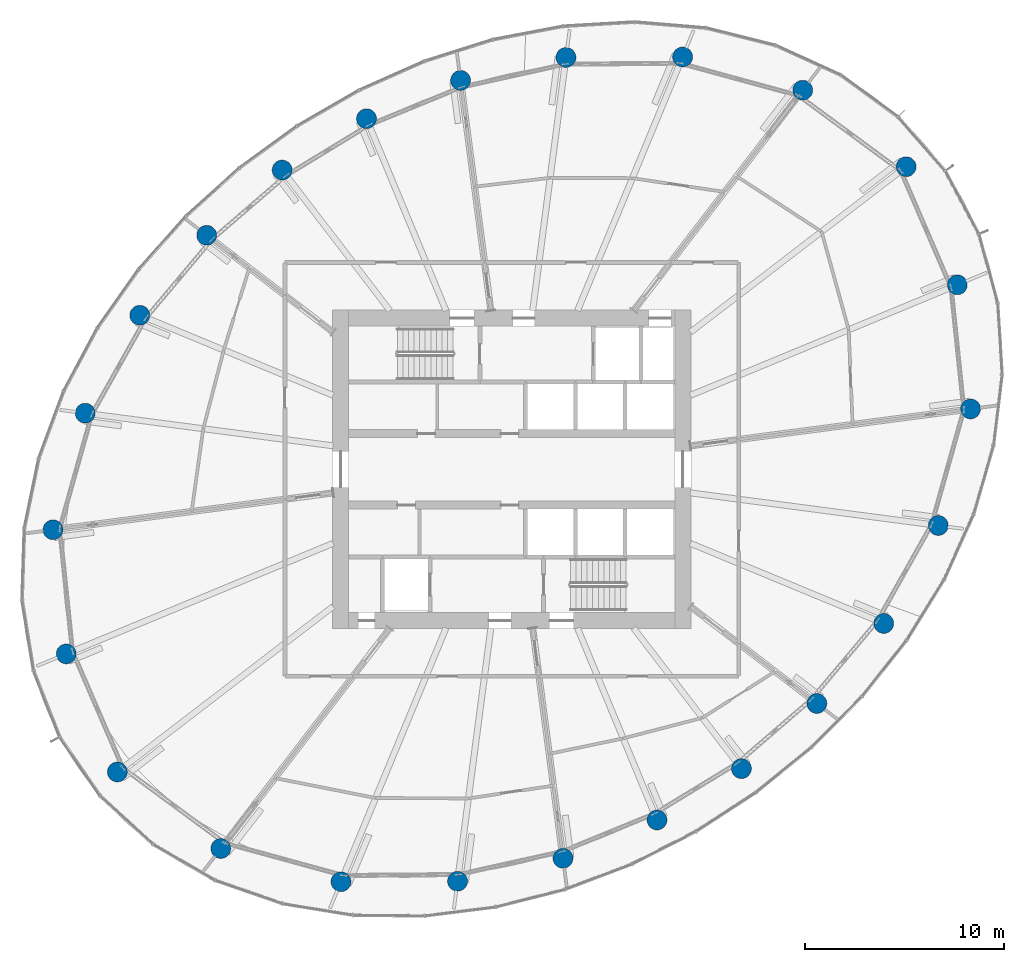
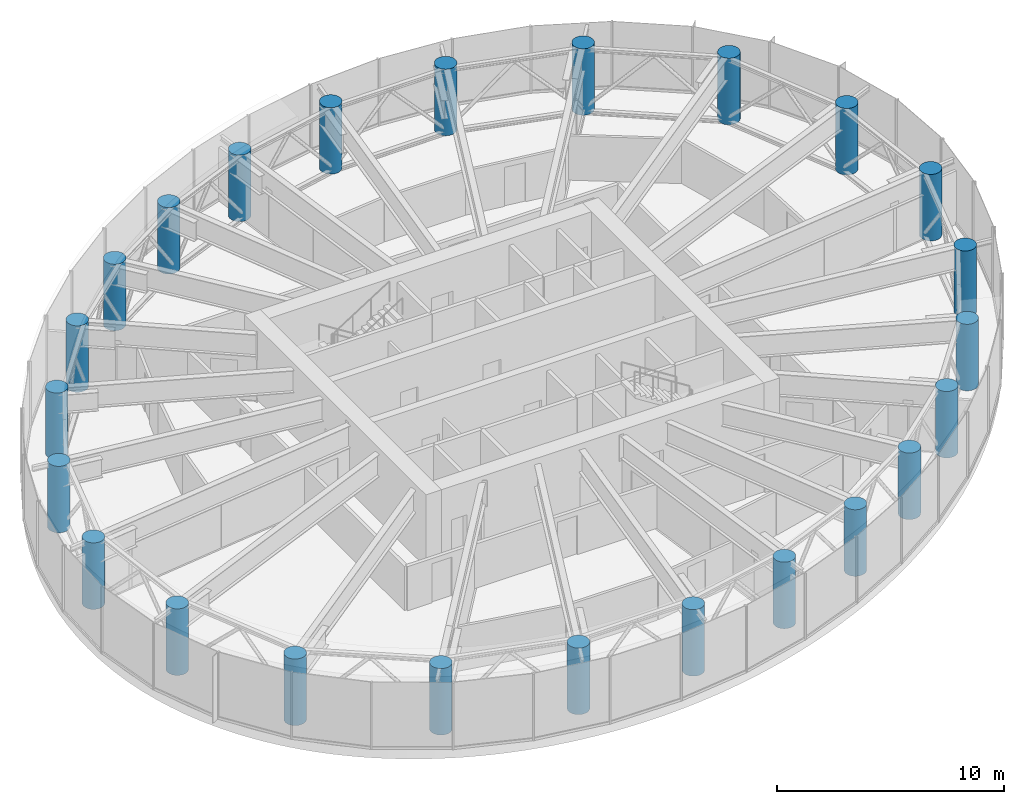
# One storey, part 1 of 25: 24 columns.
"""IFC4 building model written with IfcOpenShell, lengths in metres."""

import ifcopenshell
import ifcopenshell.guid

model = None  # the IFC model being written
_history = None  # IfcOwnerHistory: only IFC2X3 demands one
_inside = {}  # id of a spatial element -> (the spatial element, [elements in it])
_under = {}  # id of a project, library or spatial element -> (it, [spatial elements below it])
_declared = {}  # id of a project -> (the project, [libraries it declares])
_typed = {}  # id of a type object -> (the type object, [elements of that type])
_made_of = {}  # id of a material, layer set ... -> (it, [elements and type objects made of it])


def new_model(schema):
    """Start an empty IFC model of exactly this schema.

    Asked for "IFC4X3", IfcOpenShell would pick the latest addendum, in which some entities
    have other attributes; the version numbers below select the first issue.
    IFC2X3 requires an IfcOwnerHistory on every rooted entity: one is made here for all.
    """
    global model, _history
    if schema == "IFC4X3":
        model = ifcopenshell.file(schema_version=(4, 3, 0, 0))
    else:
        model = ifcopenshell.file(schema=schema)
    _inside.clear()
    _under.clear()
    _declared.clear()
    _typed.clear()
    _made_of.clear()
    _history = None
    if model.schema == "IFC2X3":
        org = make("IfcOrganization", Name="unknown")
        user = make(
            "IfcPersonAndOrganization",
            ThePerson=make("IfcPerson", FamilyName="unknown"),
            TheOrganization=org,
        )
        app = make(
            "IfcApplication",
            ApplicationDeveloper=org,
            Version="unknown",
            ApplicationFullName="unknown",
            ApplicationIdentifier="unknown",
        )
        _history = make(
            "IfcOwnerHistory",
            OwningUser=user,
            OwningApplication=app,
            ChangeAction="ADDED",
            CreationDate=0,
        )
    return model


def make(cls, **values):
    """One entity of the class cls with the attributes given. An attribute that is None is left unset."""
    return model.create_entity(
        cls, **{name: value for name, value in values.items() if value is not None}
    )


def rooted(cls, **values):
    """An entity with a GlobalId (a new one), such as an element, a storey or a relation."""
    return make(cls, GlobalId=ifcopenshell.guid.new(), OwnerHistory=_history, **values)


def si_unit(unit_type, name, prefix=None):
    """IfcSIUnit, for example si_unit("LENGTHUNIT", "METRE", prefix="MILLI")."""
    return make("IfcSIUnit", UnitType=unit_type, Prefix=prefix, Name=name)


def assignment(units):
    """IfcUnitAssignment: the units of a project."""
    return None if units is None else make("IfcUnitAssignment", Units=units)


def point(xyz):
    """IfcCartesianPoint."""
    return None if xyz is None else make("IfcCartesianPoint", Coordinates=xyz)


def direction(xyz):
    """IfcDirection."""
    return None if xyz is None else make("IfcDirection", DirectionRatios=xyz)


def frame(location, z_axis=None, x_axis=None):
    """IfcAxis2Placement3D, a coordinate frame: its origin and axes. An axis left out is left unset."""
    return make(
        "IfcAxis2Placement3D",
        Location=point(location),
        Axis=direction(z_axis),
        RefDirection=direction(x_axis),
    )


def frame_2d(location, x_axis=None):
    """IfcAxis2Placement2D, a coordinate frame in the plane: its origin and x axis."""
    return make(
        "IfcAxis2Placement2D", Location=point(location), RefDirection=direction(x_axis)
    )


def origin():
    """The frame at (0, 0, 0) with its axes left unset."""
    return frame((0.0, 0.0, 0.0))


def origin_2d():
    """The frame at (0, 0) in the plane with its x axis left unset."""
    return frame_2d((0.0, 0.0))


def place(relative_to, where):
    """IfcLocalPlacement: puts the frame where relative to a parent placement (None: the world)."""
    return make(
        "IfcLocalPlacement", PlacementRelTo=relative_to, RelativePlacement=where
    )


def context(
    kind, dimensions, precision=None, world=None, true_north=None, identifier=None
):
    """IfcGeometricRepresentationContext, for example the 3D "Model" context."""
    return make(
        "IfcGeometricRepresentationContext",
        ContextIdentifier=identifier,
        ContextType=kind,
        CoordinateSpaceDimension=dimensions,
        Precision=precision,
        WorldCoordinateSystem=world,
        TrueNorth=true_north,
    )


def subcontext(parent, identifier, kind, view, scale=None):
    """IfcGeometricRepresentationSubContext, for example "Body" below "Model"."""
    return make(
        "IfcGeometricRepresentationSubContext",
        ContextIdentifier=identifier,
        ContextType=kind,
        ParentContext=parent,
        TargetScale=scale,
        TargetView=view,
    )


def project(units=None, contexts=None):
    """IfcProject with its units and contexts."""
    return rooted(
        "IfcProject",
        Name="project",
        RepresentationContexts=contexts,
        UnitsInContext=assignment(units),
    )


def spatial(cls, under=None, at=None, **own):
    """A site, building, storey or space (cls), placed at a placement, below another one or the project."""
    s = rooted(cls, ObjectPlacement=at, **own)
    if under is not None:
        _under.setdefault(under.id(), (under, []))[1].append(s)
    return s


def profile(cls, at=None, kind="AREA", **sizes):
    """A parametric profile (cls). Its sizes go by their IFC names, for example OverallWidth=200.0."""
    return make(cls, ProfileType=kind, Position=at, **sizes)


def circle(**sizes):
    """IfcCircleProfileDef."""
    return profile("IfcCircleProfileDef", **sizes)


def extrude(swept, where, along, depth):
    """IfcExtrudedAreaSolid: the profile swept, set in the frame where, extruded along a direction by depth."""
    return make(
        "IfcExtrudedAreaSolid",
        SweptArea=swept,
        Position=where,
        ExtrudedDirection=direction(along),
        Depth=depth,
    )


def shape(context_of_items, identifier, shape_type, items):
    """IfcShapeRepresentation: the items that make up one representation, for example the "Body"."""
    return make(
        "IfcShapeRepresentation",
        ContextOfItems=context_of_items,
        RepresentationIdentifier=identifier,
        RepresentationType=shape_type,
        Items=items,
    )


def source(mapping_origin, context_of_items, identifier, shape_type, items):
    """IfcRepresentationMap: a shape defined once, which mapped items show again and again."""
    return make(
        "IfcRepresentationMap",
        MappingOrigin=mapping_origin,
        MappedRepresentation=shape(context_of_items, identifier, shape_type, items),
    )


def transform(
    local_origin,
    x_axis=None,
    y_axis=None,
    z_axis=None,
    scale=None,
    scale2=None,
    scale3=None,
    uniform=True,
):
    """IfcCartesianTransformationOperator3D, or its non-uniform kind. x_axis, y_axis, z_axis: its Axis1, 2, 3."""
    if uniform:
        return make(
            "IfcCartesianTransformationOperator3D",
            Axis1=direction(x_axis),
            Axis2=direction(y_axis),
            LocalOrigin=point(local_origin),
            Scale=scale,
            Axis3=direction(z_axis),
        )
    return make(
        "IfcCartesianTransformationOperator3DnonUniform",
        Axis1=direction(x_axis),
        Axis2=direction(y_axis),
        LocalOrigin=point(local_origin),
        Scale=scale,
        Axis3=direction(z_axis),
        Scale2=scale2,
        Scale3=scale3,
    )


def mapped(mapping_source, mapping_target):
    """IfcMappedItem: shows the shape of a source again, moved by a transform."""
    return make(
        "IfcMappedItem", MappingSource=mapping_source, MappingTarget=mapping_target
    )


def material(Name=None, Category=None):
    """IfcMaterial."""
    return make("IfcMaterial", Name=Name, Category=Category)


def material_profile(
    of_material, cross_section, Name=None, Category=None, Priority=None
):
    """IfcMaterialProfile: a cross section and its material."""
    return make(
        "IfcMaterialProfile",
        Name=Name,
        Material=of_material,
        Profile=cross_section,
        Priority=Priority,
        Category=Category,
    )


def profile_set(profiles, Name=None, composite=None):
    """IfcMaterialProfileSet."""
    return make(
        "IfcMaterialProfileSet",
        Name=Name,
        MaterialProfiles=profiles,
        CompositeProfile=composite,
    )


def made_of(thing, what):
    """Note that an element or type object is made of a material, layer set ...; save() writes the relation."""
    if what is not None:
        _made_of.setdefault(what.id(), (what, []))[1].append(thing)
    return thing


def type_object(cls, material=None, **own):
    """A type object (cls), such as IfcWallType, which elements share."""
    return made_of(rooted(cls, **own), material)


def element(
    cls,
    number,
    at=None,
    inside=None,
    cuts=None,
    type_object=None,
    material=None,
    context=None,
    identifier="Body",
    shape_type=None,
    held_by="IfcProductDefinitionShape",
    body=None,
    shapes=None,
    **own,
):
    """One element of the class cls, such as IfcWall. Its Tag is "e" and its number.

    at: its placement. inside: the storey or other place that contains it. cuts: it is an
    opening in that element (IfcRelVoidsElement). A single representation is given by context,
    identifier, shape_type and body (its items); several are given by shapes. held_by: the class
    of the entity that holds the representations. save() writes the other relations.
    """
    e = rooted(cls, Tag="e%d" % number, ObjectPlacement=at, **own)
    if body is not None:
        shapes = [shape(context, identifier, shape_type, body)]
    if shapes is not None:
        e.Representation = make(held_by, Representations=shapes)
    if inside is not None:
        _inside.setdefault(inside.id(), (inside, []))[1].append(e)
    if cuts is not None:
        rooted(
            "IfcRelVoidsElement", RelatingBuildingElement=cuts, RelatedOpeningElement=e
        )
    if type_object is not None:
        _typed.setdefault(type_object.id(), (type_object, []))[1].append(e)
    return made_of(e, material)


def aggregate(whole, parts):
    """IfcRelAggregates: a whole, such as a stair, and the parts it consists of."""
    return rooted("IfcRelAggregates", RelatingObject=whole, RelatedObjects=parts)


def save(model, path):
    """Write the relations noted so far, then the file.

    IfcRelAggregates (storeys below a building ...), IfcRelContainedInSpatialStructure (elements
    in a storey), IfcRelDefinesByType, IfcRelAssociatesMaterial and IfcRelDeclares: one each for
    every whole, place, type object, material and project.
    """
    for whole, parts in _under.values():
        aggregate(whole, parts)
    for where, things in _inside.values():
        rooted(
            "IfcRelContainedInSpatialStructure",
            RelatedElements=things,
            RelatingStructure=where,
        )
    for kind, things in _typed.values():
        rooted("IfcRelDefinesByType", RelatedObjects=things, RelatingType=kind)
    for what, things in _made_of.values():
        rooted("IfcRelAssociatesMaterial", RelatedObjects=things, RelatingMaterial=what)
    for by, libraries in _declared.values():
        rooted("IfcRelDeclares", RelatingContext=by, RelatedDefinitions=libraries)
    model.write(path)


model = new_model("IFC4")

# Units and contexts
model_context = context("Model", 3, precision=1e-05, world=origin(), true_north=direction((0.0, 1.0)))
body_context = subcontext(model_context, "Body", "Model", "MODEL_VIEW")
ifc_project = project(units=[si_unit("LENGTHUNIT", "METRE"), si_unit("AREAUNIT", "SQUARE_METRE"), si_unit("VOLUMEUNIT", "CUBIC_METRE"), si_unit("PLANEANGLEUNIT", "RADIAN"), si_unit("MASSUNIT", "GRAM", prefix="KILO")], contexts=[model_context])

# Site, building, storey
site_placement = place(None, origin())
site = spatial("IfcSite", under=ifc_project, at=site_placement, CompositionType="ELEMENT")
building_placement = place(site_placement, origin())
building = spatial("IfcBuilding", under=site, at=building_placement, Name="Spindrift Exchange Tower", CompositionType="ELEMENT")
storey_placement = place(building_placement, frame((0.0, 0.0, 179.89990234375)))
storey = spatial("IfcBuildingStorey", under=building, at=storey_placement, Name="L43", CompositionType="ELEMENT", Elevation=179.89990234375)

# Columns
ifc_material = material(Name="Concrete 50 MPa", Category="concrete")
ifc_material_profile = material_profile(ifc_material, circle(Radius=0.5, at=origin_2d()), Name="RC D1000")
ifc_profile_set = profile_set([ifc_material_profile], Name="Concrete 50 MPa")
column_type = type_object("IfcColumnType", Name="RC Perimeter Column D1000 Concrete 50 MPa", PredefinedType="COLUMN", material=ifc_profile_set)
shared_shape = source(origin(), body_context, "Body", "SweptSolid", [
    extrude(circle(Radius=0.5, at=origin_2d()), origin(), (0.0, 0.0, 1.0), 3.580078125),
])
for number, where, z_axis, x_axis, name in (
    (1, (75.06201171875, 51.0361328125, 0.0), (0.0, 0.0, 1.0), (1.0, 0.0, 0.0), "Perimeter column P3-01 L43"),
    (2, (74.396728515625, 57.277099609375, 0.0), (0.0, 0.0, 1.0), (1.0, 0.0, 0.0), "Perimeter column P3-02 L43"),
    (3, (71.825927734375, 63.212890625, 0.0), (0.0, 0.0, 1.0), (1.0, 0.0, 0.0), "Perimeter column P3-03 L43"),
    (4, (66.625, 67.0595703125, 0.0), (0.0, 0.0, 1.0), (1.0, 0.0, 0.0), "Perimeter column P3-04 L43"),
    (5, (60.5869140625, 68.73095703125, 0.0), (0.0, 0.0, 1.0), (1.0, 0.0, 0.0), "Perimeter column P3-05 L43"),
    (6, (54.725830078125, 68.705322265625, 0.0), (0.0, 0.0, 1.0), (1.0, 0.0, 0.0), "Perimeter column P3-06 L43"),
    (7, (49.426025390625, 67.55126953125, 0.0), (0.0, 0.0, 1.0), (1.0, 0.0, 0.0), "Perimeter column P3-07 L43"),
    (8, (44.69921875, 65.625732421875, 0.0), (0.0, 0.0, 1.0), (1.0, 0.0, 0.0), "Perimeter column P3-08 L43"),
    (9, (40.4560546875, 63.04443359375, 0.0), (0.0, 0.0, 1.0), (1.0, 0.0, 0.0), "Perimeter column P3-09 L43"),
    (10, (36.663818359375, 59.76806640625, 0.0), (0.0, 0.0, 1.0), (1.0, 0.0, 0.0), "Perimeter column P3-10 L43"),
    (11, (33.30078125, 55.74560546875, 0.0), (0.0, 0.0, 1.0), (1.0, 0.0, 0.0), "Perimeter column P3-11 L43"),
    (12, (30.55908203125, 50.82275390625, 0.0), (0.0, 0.0, 1.0), (1.0, 0.0, 0.0), "Perimeter column P3-12 L43"),
    (13, (28.93798828125, 44.9638671875, 0.0), (0.0, 0.0, 1.0), (1.0, 0.0, 0.0), "Perimeter column P3-13 L43"),
    (14, (29.603271484375, 38.722900390625, 0.0), (0.0, 0.0, 1.0), (1.0, 0.0, 0.0), "Perimeter column P3-14 L43"),
    (15, (32.174072265625, 32.787109375, 0.0), (0.0, 0.0, 1.0), (1.0, 0.0, 0.0), "Perimeter column P3-15 L43"),
    (16, (37.375, 28.9404296875, 0.0), (0.0, 0.0, 1.0), (1.0, 0.0, 0.0), "Perimeter column P3-16 L43"),
    (17, (43.4130859375, 27.26904296875, 0.0), (0.0, 0.0, 1.0), (1.0, 0.0, 0.0), "Perimeter column P3-17 L43"),
    (18, (49.274169921875, 27.294677734375, 0.0), (0.0, 0.0, 1.0), (1.0, 0.0, 0.0), "Perimeter column P3-18 L43"),
    (19, (54.573974609375, 28.44873046875, 0.0), (0.0, 0.0, 1.0), (1.0, 0.0, 0.0), "Perimeter column P3-19 L43"),
    (20, (59.30078125, 30.374267578125, 0.0), (0.0, 0.0, 1.0), (1.0, 0.0, 0.0), "Perimeter column P3-20 L43"),
    (21, (63.5439453125, 32.95556640625, 0.0), (0.0, 0.0, 1.0), (1.0, 0.0, 0.0), "Perimeter column P3-21 L43"),
    (22, (67.336181640625, 36.23193359375, 0.0), (0.0, 0.0, 1.0), (1.0, 0.0, 0.0), "Perimeter column P3-22 L43"),
    (23, (70.69921875, 40.25439453125, 0.0), (0.0, 0.0, 1.0), (1.0, 0.0, 0.0), "Perimeter column P3-23 L43"),
    (24, (73.44091796875, 45.17724609375, 0.0), (0.0, 0.0, 1.0), (1.0, 0.0, 0.0), "Perimeter column P3-24 L43"),
):
    element("IfcColumn", number, at=place(storey_placement, frame(where, z_axis=z_axis, x_axis=x_axis)), inside=storey, type_object=column_type, Name=name, PredefinedType="COLUMN", context=body_context, shape_type="MappedRepresentation", body=[
        mapped(shared_shape, transform((0.0, 0.0, 0.0), scale=1.0)),
    ])

save(model, "model.ifc")
